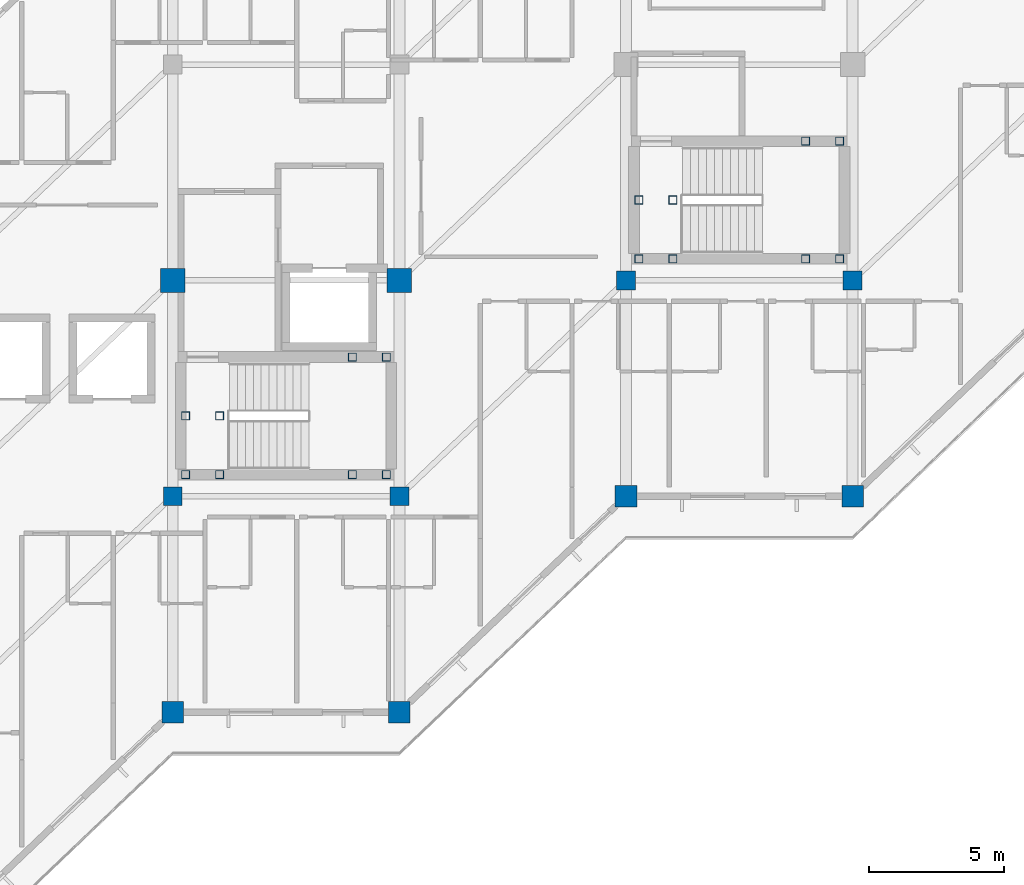
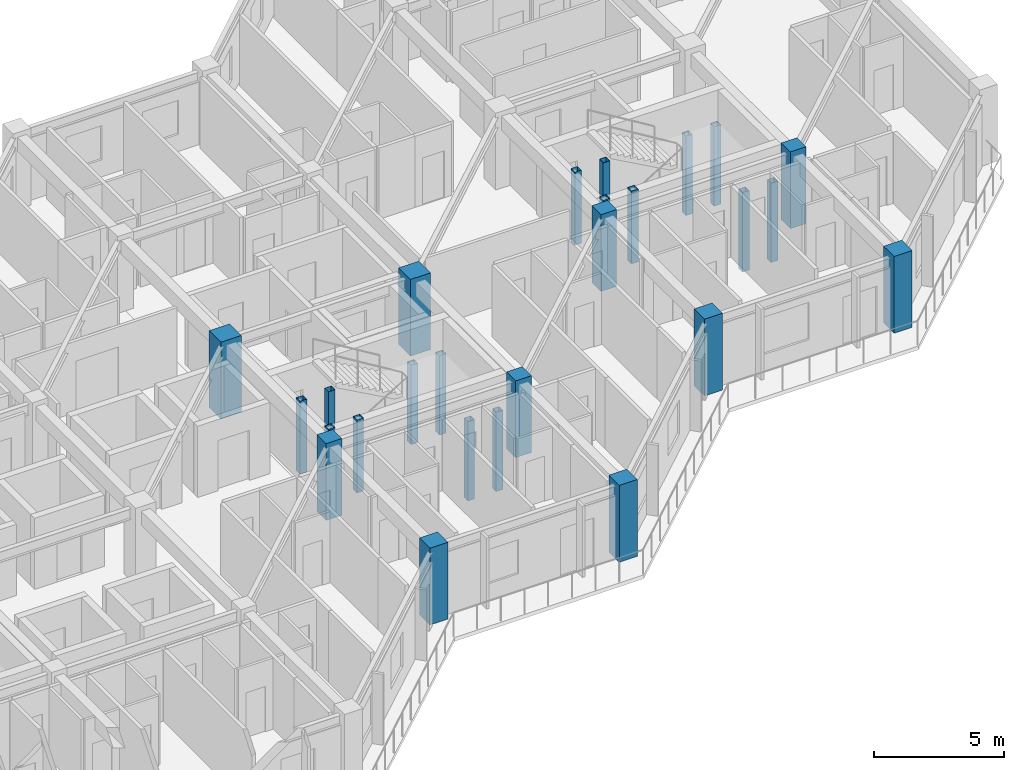
# One storey, part 2 of 17: 26 columns.
"""IFC4 building model written with IfcOpenShell, lengths in metres."""

from ifc_helpers import new_model, si_unit, direction, frame, origin, origin_2d, place, context, subcontext, project, spatial, rectangle, hollow_rectangle, extrude, material, material_profile, profile_set, type_object, element, save


model = new_model("IFC4")

# Units and contexts
model_context = context("Model", 3, precision=1e-05, world=origin(), true_north=direction((0.0, 1.0)))
body_context = subcontext(model_context, "Body", "Model", "MODEL_VIEW")
ifc_project = project(units=[si_unit("LENGTHUNIT", "METRE"), si_unit("AREAUNIT", "SQUARE_METRE"), si_unit("VOLUMEUNIT", "CUBIC_METRE"), si_unit("PLANEANGLEUNIT", "RADIAN"), si_unit("MASSUNIT", "GRAM", prefix="KILO")], contexts=[model_context])

# Site, building, storey
site_placement = place(None, origin())
site = spatial("IfcSite", under=ifc_project, at=site_placement, CompositionType="ELEMENT")
building_placement = place(site_placement, origin())
building = spatial("IfcBuilding", under=site, at=building_placement, Name="Naruveol Harbour Congress Hotel", CompositionType="ELEMENT")
storey_placement = place(building_placement, frame((0.0, 0.0, 25.199951171875)))
storey = spatial("IfcBuildingStorey", under=building, at=storey_placement, Name="L05", CompositionType="ELEMENT", Elevation=25.199951171875)

# Columns
ifc_material_1 = material(Name="Concrete C40/50", Category="concrete")
ifc_material_profile_1 = material_profile(ifc_material_1, rectangle(XDim=0.699951171875, YDim=0.699951171875, at=origin_2d()), Name="RC-700x700")
ifc_profile_set_1 = profile_set([ifc_material_profile_1], Name="Concrete C40/50")
column_type_1 = type_object("IfcColumnType", Name="RC HOTEL COLUMN 700X700", PredefinedType="COLUMN", material=ifc_profile_set_1)
for number, where, z_axis, x_axis, name in (
    (1, (151.199951171875, 16.0, 0.0), (0.0, 0.0, 1.0), (1.0, 0.0, 0.0), "Planted hotel column C-700 L05 S4/J1"),
    (2, (159.60009765625, 16.0, 0.0), (0.0, 0.0, 1.0), (1.0, 0.0, 0.0), "Planted hotel column C-700 L05 S5/J1"),
    (3, (168.0, 24.0, 0.0), (0.0, 0.0, 1.0), (1.0, 0.0, 0.0), "Planted hotel column C-700 L05 S6/J1"),
    (4, (176.39990234375, 24.0, 0.0), (0.0, 0.0, 1.0), (1.0, 0.0, 0.0), "Planted hotel column C-700 L05 S7/J1"),
):
    element("IfcColumn", number, at=place(storey_placement, frame(where, z_axis=z_axis, x_axis=x_axis)), inside=storey, type_object=column_type_1, Name=name, PredefinedType="COLUMN", context=body_context, shape_type="SweptSolid", body=[
        extrude(rectangle(XDim=0.699951171875, YDim=0.699951171875, at=origin_2d()), origin(), (0.0, 0.0, 1.0), 3.60009765625),
    ])
ifc_material_2 = material(Name="Concrete C50/60", Category="concrete")
ifc_material_profile_2 = material_profile(ifc_material_2, rectangle(XDim=0.800048828125, YDim=0.800048828125, at=origin_2d()), Name="RC-800x800")
ifc_profile_set_2 = profile_set([ifc_material_profile_2], Name="Concrete C50/60")
column_type_2 = type_object("IfcColumnType", Name="RC PODIUM COLUMN 800X800", PredefinedType="COLUMN", material=ifc_profile_set_2)
for number, where, z_axis, x_axis, name in (
    (5, (151.199951171875, 8.0, 0.0), (0.0, 0.0, 1.0), (1.0, 0.0, 0.0), "Column C-800 L05 (151.2,8.0)"),
    (6, (159.60009765625, 8.0, 0.0), (0.0, 0.0, 1.0), (1.0, 0.0, 0.0), "Column C-800 L05 (159.6,8.0)"),
    (7, (168.0, 16.0, 0.0), (0.0, 0.0, 1.0), (1.0, 0.0, 0.0), "Column C-800 L05 (168.0,16.0)"),
    (8, (176.39990234375, 16.0, 0.0), (0.0, 0.0, 1.0), (1.0, 0.0, 0.0), "Column C-800 L05 (176.4,16.0)"),
):
    element("IfcColumn", number, at=place(storey_placement, frame(where, z_axis=z_axis, x_axis=x_axis)), inside=storey, type_object=column_type_2, Name=name, PredefinedType="COLUMN", context=body_context, shape_type="SweptSolid", body=[
        extrude(rectangle(XDim=0.800048828125, YDim=0.800048828125, at=origin_2d()), origin(), (0.0, 0.0, 1.0), 3.60009765625),
    ])
ifc_material_3 = material(Name="Concrete C50/60", Category="concrete")
ifc_material_profile_3 = material_profile(ifc_material_3, rectangle(XDim=0.89990234375, YDim=0.89990234375, at=origin_2d()), Name="RC-900x900")
ifc_profile_set_3 = profile_set([ifc_material_profile_3], Name="Concrete C50/60")
column_type_3 = type_object("IfcColumnType", Name="RC PRIMARY COLUMN 900X900", PredefinedType="COLUMN", material=ifc_profile_set_3)
for number, where, z_axis, x_axis, name in (
    (9, (151.199951171875, 24.0, 0.0), (0.0, 0.0, 1.0), (1.0, 0.0, 0.0), "Column C-900 L05 (151.2,24.0)"),
    (10, (159.60009765625, 24.0, 0.0), (0.0, 0.0, 1.0), (1.0, 0.0, 0.0), "Column C-900 L05 (159.6,24.0)"),
):
    element("IfcColumn", number, at=place(storey_placement, frame(where, z_axis=z_axis, x_axis=x_axis)), inside=storey, type_object=column_type_3, Name=name, PredefinedType="COLUMN", context=body_context, shape_type="SweptSolid", body=[
        extrude(rectangle(XDim=0.89990234375, YDim=0.89990234375, at=origin_2d()), origin(), (0.0, 0.0, 1.0), 3.60009765625),
    ])
ifc_material_4 = material(Name="Steel SN490", Category="steel")
ifc_material_profile_4 = material_profile(ifc_material_4, hollow_rectangle(XDim=0.300048828125, YDim=0.300048828125, WallThickness=0.011962890625, at=origin_2d()), Name="SHS-300x300x12")
ifc_profile_set_4 = profile_set([ifc_material_profile_4], Name="Steel SN490")
column_type_4 = type_object("IfcColumnType", Name="STEEL COLONNADE POST SHS300", PredefinedType="COLUMN", material=ifc_profile_set_4)
for number, where, z_axis, x_axis, name in (
    (11, (151.679931640625, 16.800048828125, 0.0), (0.0, 0.0, 1.0), (1.0, 0.0, 0.0), "Stair landing support post ST2W #103"),
    (12, (151.679931640625, 18.97998046875, 0.0), (0.0, 0.0, 1.0), (1.0, 0.0, 0.0), "Stair landing support post ST2W #115"),
    (13, (152.93994140625, 16.800048828125, 0.0), (0.0, 0.0, 1.0), (1.0, 0.0, 0.0), "Stair landing support post ST2W #127"),
    (14, (152.93994140625, 18.97998046875, 0.0), (0.0, 0.0, 1.0), (1.0, 0.0, 0.0), "Stair landing support post ST2W #139"),
):
    element("IfcColumn", number, at=place(storey_placement, frame(where, z_axis=z_axis, x_axis=x_axis)), inside=storey, type_object=column_type_4, Name=name, PredefinedType="COLUMN", context=body_context, shape_type="SweptSolid", body=[
        extrude(hollow_rectangle(XDim=0.300048828125, YDim=0.300048828125, WallThickness=0.011962890625, at=origin_2d()), origin(), (0.0, 0.0, 1.0), 3.420166015625),
    ])
for number, where, z_axis, x_axis, name in (
    (15, (157.860107421875, 16.800048828125, -2.099853515625), (0.0, 0.0, 1.0), (1.0, 0.0, 0.0), "Stair landing support post ST2E #151"),
    (16, (157.860107421875, 21.159912109375, -2.099853515625), (0.0, 0.0, 1.0), (1.0, 0.0, 0.0), "Stair landing support post ST2E #163"),
    (17, (159.1201171875, 16.800048828125, -2.099853515625), (0.0, 0.0, 1.0), (1.0, 0.0, 0.0), "Stair landing support post ST2E #175"),
    (18, (159.1201171875, 21.159912109375, -2.099853515625), (0.0, 0.0, 1.0), (1.0, 0.0, 0.0), "Stair landing support post ST2E #187"),
):
    element("IfcColumn", number, at=place(storey_placement, frame(where, z_axis=z_axis, x_axis=x_axis)), inside=storey, type_object=column_type_4, Name=name, PredefinedType="COLUMN", context=body_context, shape_type="SweptSolid", body=[
        extrude(hollow_rectangle(XDim=0.300048828125, YDim=0.300048828125, WallThickness=0.011962890625, at=origin_2d()), origin(), (0.0, 0.0, 1.0), 3.719970703125),
    ])
for number, where, z_axis, x_axis, name in (
    (19, (168.47998046875, 24.800048828125, 0.0), (0.0, 0.0, 1.0), (1.0, 0.0, 0.0), "Stair landing support post ST4W #279"),
    (20, (168.47998046875, 26.97998046875, 0.0), (0.0, 0.0, 1.0), (1.0, 0.0, 0.0), "Stair landing support post ST4W #287"),
    (21, (169.739990234375, 24.800048828125, 0.0), (0.0, 0.0, 1.0), (1.0, 0.0, 0.0), "Stair landing support post ST4W #295"),
    (22, (169.739990234375, 26.97998046875, 0.0), (0.0, 0.0, 1.0), (1.0, 0.0, 0.0), "Stair landing support post ST4W #303"),
):
    element("IfcColumn", number, at=place(storey_placement, frame(where, z_axis=z_axis, x_axis=x_axis)), inside=storey, type_object=column_type_4, Name=name, PredefinedType="COLUMN", context=body_context, shape_type="SweptSolid", body=[
        extrude(hollow_rectangle(XDim=0.300048828125, YDim=0.300048828125, WallThickness=0.011962890625, at=origin_2d()), origin(), (0.0, 0.0, 1.0), 3.420166015625),
    ])
for number, where, z_axis, x_axis, name in (
    (23, (174.659912109375, 24.800048828125, -2.099853515625), (0.0, 0.0, 1.0), (1.0, 0.0, 0.0), "Stair landing support post ST4E #311"),
    (24, (174.659912109375, 29.159912109375, -2.099853515625), (0.0, 0.0, 1.0), (1.0, 0.0, 0.0), "Stair landing support post ST4E #319"),
    (25, (175.919921875, 24.800048828125, -2.099853515625), (0.0, 0.0, 1.0), (1.0, 0.0, 0.0), "Stair landing support post ST4E #327"),
    (26, (175.919921875, 29.159912109375, -2.099853515625), (0.0, 0.0, 1.0), (1.0, 0.0, 0.0), "Stair landing support post ST4E #335"),
):
    element("IfcColumn", number, at=place(storey_placement, frame(where, z_axis=z_axis, x_axis=x_axis)), inside=storey, type_object=column_type_4, Name=name, PredefinedType="COLUMN", context=body_context, shape_type="SweptSolid", body=[
        extrude(hollow_rectangle(XDim=0.300048828125, YDim=0.300048828125, WallThickness=0.011962890625, at=origin_2d()), origin(), (0.0, 0.0, 1.0), 3.719970703125),
    ])

save(model, "model.ifc")
